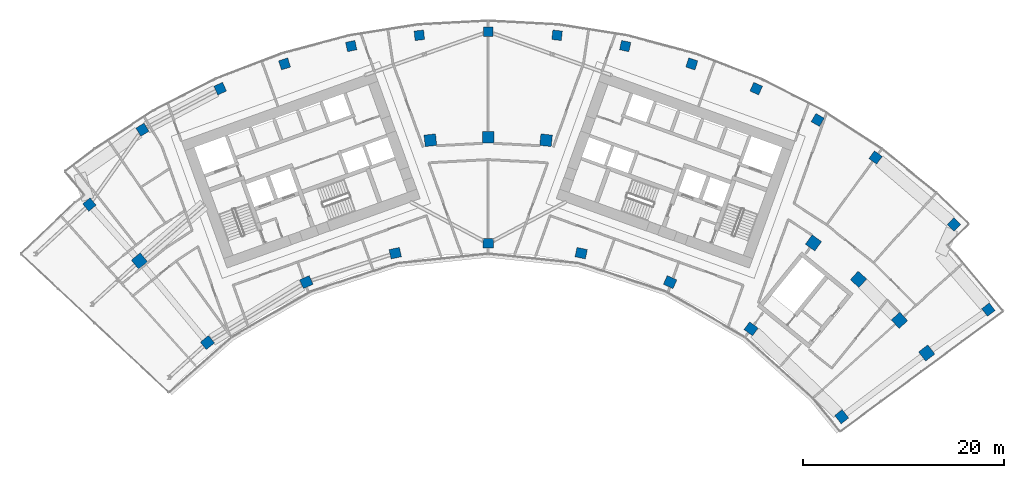
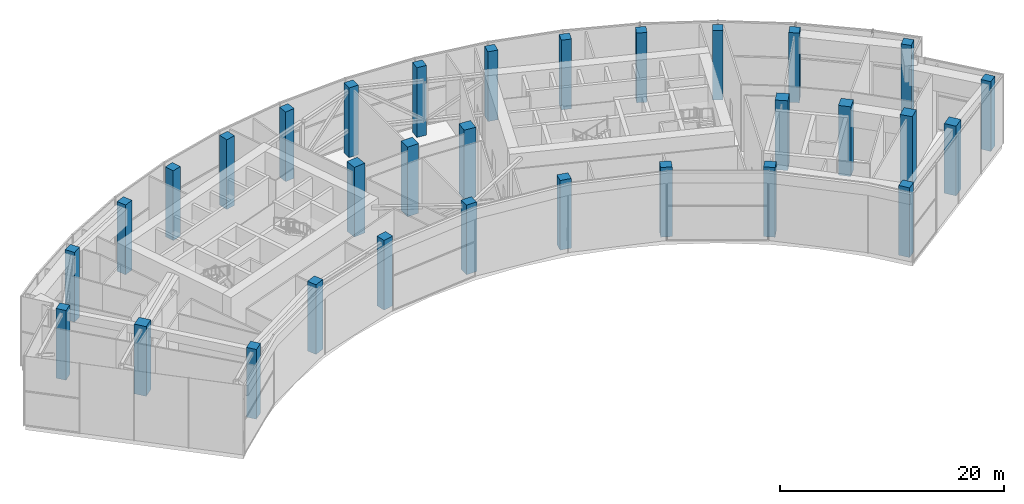
# One storey, part 1 of 26: 31 columns.
"""IFC4 building model written with IfcOpenShell, lengths in metres."""

from ifc_helpers import new_model, si_unit, direction, frame, origin, origin_2d, place, context, subcontext, project, spatial, rectangle, extrude, material, material_profile, profile_set, type_object, element, save


model = new_model("IFC4")

# Units and contexts
model_context = context("Model", 3, precision=1e-05, world=origin(), true_north=direction((0.0, 1.0)))
body_context = subcontext(model_context, "Body", "Model", "MODEL_VIEW")
ifc_project = project(units=[si_unit("LENGTHUNIT", "METRE"), si_unit("AREAUNIT", "SQUARE_METRE"), si_unit("VOLUMEUNIT", "CUBIC_METRE"), si_unit("PLANEANGLEUNIT", "RADIAN"), si_unit("MASSUNIT", "GRAM", prefix="KILO")], contexts=[model_context])

# Site, building, storey
site_placement = place(None, origin())
site = spatial("IfcSite", under=ifc_project, at=site_placement, CompositionType="ELEMENT")
building_placement = place(site_placement, origin())
building = spatial("IfcBuilding", under=site, at=building_placement, Name="Stone Belt Terrace Tower", CompositionType="ELEMENT")
storey_placement = place(building_placement, frame((0.0, 0.0, 250.39990234375)))
storey = spatial("IfcBuildingStorey", under=building, at=storey_placement, Name="L61", CompositionType="ELEMENT", Elevation=250.39990234375)

# Columns
ifc_material = material(Name="Concrete B60", Category="concrete")
ifc_material_profile_1 = material_profile(ifc_material, rectangle(XDim=1.050048828125, YDim=0.949951171875, at=origin_2d()), Name="RC 1050x950")
ifc_profile_set_1 = profile_set([ifc_material_profile_1], Name="Concrete B60")
column_type_1 = type_object("IfcColumnType", Name="Column RC 1050x950 B60", PredefinedType="COLUMN", material=ifc_profile_set_1)
for number, where, z_axis, x_axis, name in (
    (1, (-27.90771484375, 34.5908203125, 0.0), (0.0, 0.0, 1.0), (0.778283698988, 0.62791279959, 0.0), "Column L61 PA"),
    (2, (-18.077392578125, 40.6025390625, 0.0), (0.0, 0.0, 1.0), (0.913545457643, 0.406736643076, 0.0), "Column L61 P18"),
    (3, (-9.240478515625, 43.473876953125, 0.0), (0.0, 0.0, 1.0), (0.978147600734, 0.207911690818, 0.0), "Column L61 P20"),
    (4, (0.0, 44.445068359375, 0.0), (0.0, 0.0, 1.0), (1.0, 0.0, 0.0), "Column L61 P22"),
    (5, (9.240478515625, 43.473876953125, 0.0), (0.0, 0.0, 1.0), (0.978147600734, -0.207911690818, 0.0), "Column L61 P24"),
    (6, (18.077392578125, 40.6025390625, 0.0), (0.0, 0.0, 1.0), (0.913545457643, -0.406736643076, 0.0), "Column L61 P26"),
    (7, (26.1240234375, 35.956787109375, 0.0), (0.0, 0.0, 1.0), (0.809016994375, -0.587785252292, 0.0), "Column L61 P28"),
    (8, (35.133056640625, 27.221923828125, 0.0), (0.0, 0.0, 1.0), (0.612484967582, -0.790482235402, 0.0), "Column L61 PB"),
):
    element("IfcColumn", number, at=place(storey_placement, frame(where, z_axis=z_axis, x_axis=x_axis)), inside=storey, type_object=column_type_1, Name=name, PredefinedType="COLUMN", context=body_context, shape_type="SweptSolid", body=[
        extrude(rectangle(XDim=1.050048828125, YDim=0.949951171875, at=origin_2d()), origin(), (0.0, 0.0, 1.0), 7.60009765625),
    ])
ifc_material_profile_2 = material_profile(ifc_material, rectangle(XDim=1.14990234375, YDim=1.14990234375, at=origin_2d()), Name="RC 1150x1150")
ifc_profile_set_2 = profile_set([ifc_material_profile_2], Name="Concrete B60")
column_type_2 = type_object("IfcColumnType", Name="Column RC 1150x1150 B60", PredefinedType="COLUMN", material=ifc_profile_set_2)
for number, where, z_axis, x_axis, name in (
    (9, (-34.665283203125, 42.700439453125, 0.0), (0.0, 0.0, 1.0), (0.776371021586, 0.630276159189, 0.0), "Column L61 QA"),
    (10, (-5.7490234375, 54.69873046875, 0.0), (0.0, 0.0, 1.0), (0.994521895368, 0.104528463268, 0.0), "Column L61 Q21"),
    (11, (0.0, 55.0, 0.0), (0.0, 0.0, 1.0), (1.0, 0.0, 0.0), "Column L61 Q22"),
    (12, (5.7490234375, 54.69873046875, 0.0), (0.0, 0.0, 1.0), (0.994521895368, -0.104528463268, 0.0), "Column L61 Q23"),
    (13, (32.328125, 44.495849609375, 0.0), (0.0, 0.0, 1.0), (0.809016994375, -0.587785252292, 0.0), "Column L61 Q28"),
    (14, (36.80224609375, 40.873046875, 0.0), (0.0, 0.0, 1.0), (0.743144825477, -0.669130606359, 0.0), "Column L61 Q29"),
    (15, (40.873046875, 36.80224609375, 0.0), (0.0, 0.0, 1.0), (0.669130606359, -0.743144825477, 0.0), "Column L61 Q30"),
    (16, (43.57861328125, 33.55419921875, 0.0), (0.0, 0.0, 1.0), (0.610078787058, -0.792340755977, 0.0), "Column L61 QB"),
):
    element("IfcColumn", number, at=place(storey_placement, frame(where, z_axis=z_axis, x_axis=x_axis)), inside=storey, type_object=column_type_2, Name=name, PredefinedType="COLUMN", context=body_context, shape_type="SweptSolid", body=[
        extrude(rectangle(XDim=1.14990234375, YDim=1.14990234375, at=origin_2d()), origin(), (0.0, 0.0, 1.0), 7.60009765625),
    ])
ifc_material_profile_3 = material_profile(ifc_material, rectangle(XDim=0.949951171875, YDim=0.949951171875, at=origin_2d()), Name="RC 950x950")
ifc_profile_set_3 = profile_set([ifc_material_profile_3], Name="Concrete B60")
column_type_3 = type_object("IfcColumnType", Name="Column RC 950x950 B60", PredefinedType="COLUMN", material=ifc_profile_set_3)
for number, where, z_axis, x_axis, name in (
    (17, (-39.63623046875, 48.3095703125, 0.0), (0.0, 0.0, 1.0), (0.773091274525, 0.634294790499, 0.0), "Column L61 RA"),
    (18, (49.70947265625, 37.86572265625, 0.0), (0.0, 0.0, 1.0), (0.605960632634, -0.795494633356, 0.0), "Column L61 RB"),
    (19, (-34.365966796875, 55.74755859375, 0.0), (0.0, 0.0, 1.0), (0.851251028908, 0.524758692909, 0.0), "Column L61 RNA"),
    (20, (-26.63671875, 59.8271484375, 0.0), (0.0, 0.0, 1.0), (0.913545457643, 0.406736643076, 0.0), "Column L61 R18"),
    (21, (-20.2373046875, 62.28369140625, 0.0), (0.0, 0.0, 1.0), (0.951056516295, 0.309016994375, 0.0), "Column L61 R19"),
    (22, (-13.615966796875, 64.057861328125, 0.0), (0.0, 0.0, 1.0), (0.978147600734, 0.207911690818, 0.0), "Column L61 R20"),
    (23, (-6.845458984375, 65.130126953125, 0.0), (0.0, 0.0, 1.0), (0.994521895368, 0.104528463268, 0.0), "Column L61 R21"),
    (24, (0.0, 65.489013671875, 0.0), (0.0, 0.0, 1.0), (1.0, 0.0, 0.0), "Column L61 R22"),
    (25, (6.845458984375, 65.130126953125, 0.0), (0.0, 0.0, 1.0), (0.994521895368, -0.104528463268, 0.0), "Column L61 R23"),
    (26, (13.615966796875, 64.057861328125, 0.0), (0.0, 0.0, 1.0), (0.978147600734, -0.207911690818, 0.0), "Column L61 R24"),
    (27, (20.2373046875, 62.28369140625, 0.0), (0.0, 0.0, 1.0), (0.951056516295, -0.309016994375, 0.0), "Column L61 R25"),
    (28, (26.63671875, 59.8271484375, 0.0), (0.0, 0.0, 1.0), (0.913545457643, -0.406736643076, 0.0), "Column L61 R26"),
    (29, (32.744384765625, 56.715087890625, 0.0), (0.0, 0.0, 1.0), (0.866025403784, -0.5, 0.0), "Column L61 R27"),
    (30, (38.493408203125, 52.981689453125, 0.0), (0.0, 0.0, 1.0), (0.809016994375, -0.587785252292, 0.0), "Column L61 R28"),
    (31, (46.29638671875, 46.318603515625, 0.0), (0.0, 0.0, 1.0), (0.707275837349, -0.706937684596, 0.0), "Column L61 RNB"),
):
    element("IfcColumn", number, at=place(storey_placement, frame(where, z_axis=z_axis, x_axis=x_axis)), inside=storey, type_object=column_type_3, Name=name, PredefinedType="COLUMN", context=body_context, shape_type="SweptSolid", body=[
        extrude(rectangle(XDim=0.949951171875, YDim=0.949951171875, at=origin_2d()), origin(), (0.0, 0.0, 1.0), 7.60009765625),
    ])

save(model, "model.ifc")
